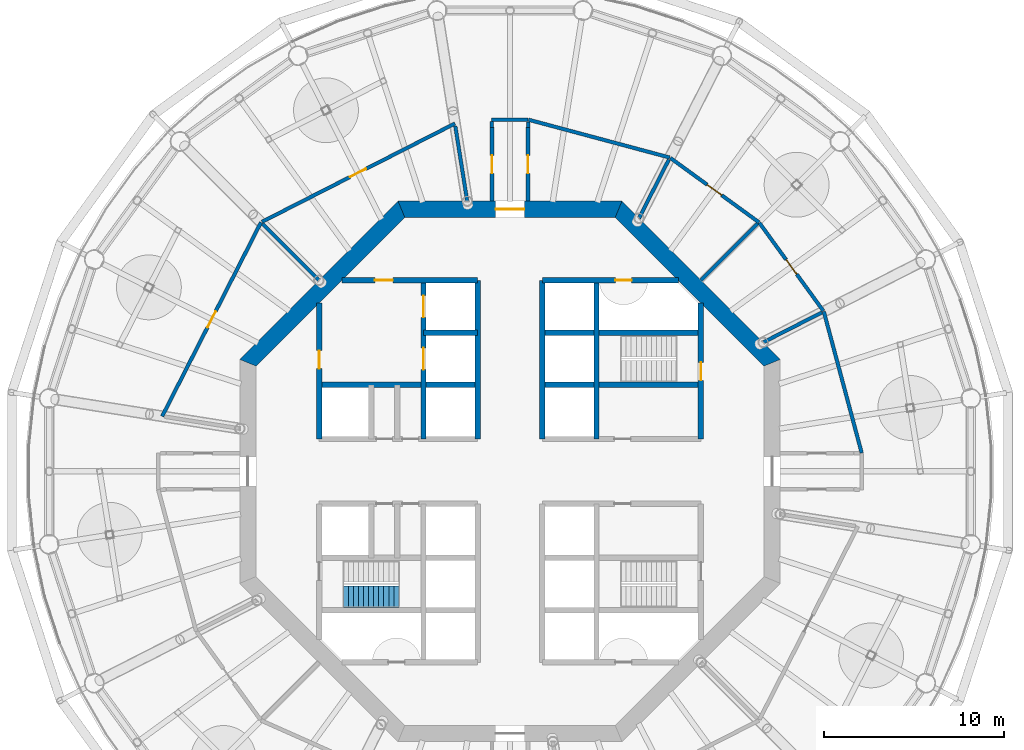
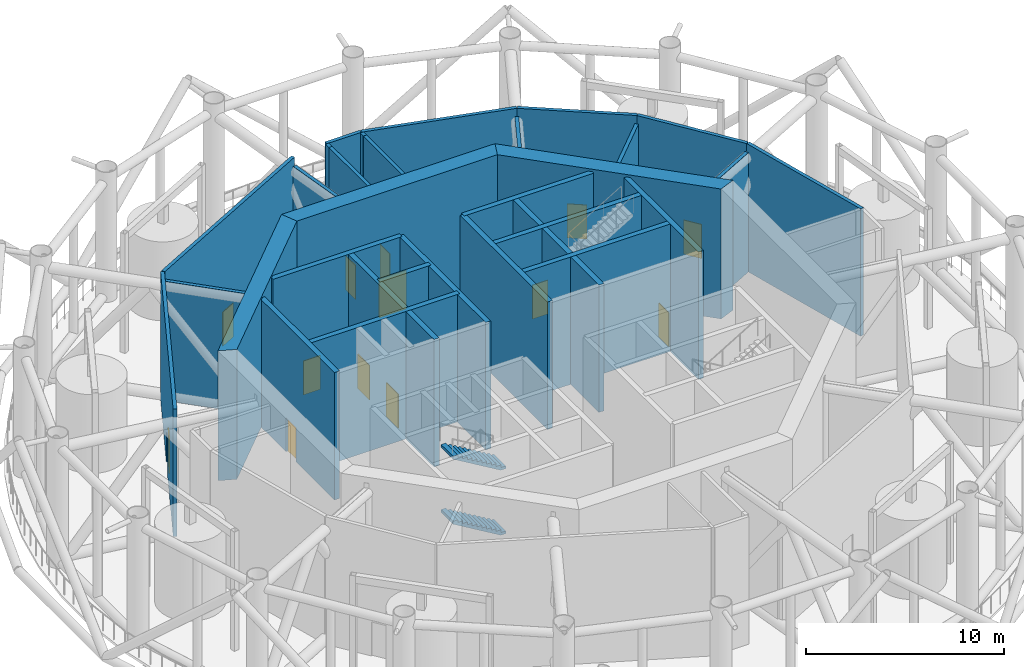
# One storey, part 13 of 22: 31 walls, 13 doors, 2 stair flights, 13 openings, 1 element without a shape of its own.
"""IFC4 building model written with IfcOpenShell, lengths in metres."""

from ifc_helpers import new_model, si_unit, direction, frame, frame_2d, origin, place, context, subcontext, project, spatial, polyline, rectangle, outline, extrude, material, layer, layer_set, type_object, element, fill, aggregate, save


model = new_model("IFC4")

# Units and contexts
model_context = context("Model", 3, precision=1e-05, world=origin(), true_north=direction((0.0, 1.0)))
body_context = subcontext(model_context, "Body", "Model", "MODEL_VIEW")
ifc_project = project(units=[si_unit("LENGTHUNIT", "METRE"), si_unit("AREAUNIT", "SQUARE_METRE"), si_unit("VOLUMEUNIT", "CUBIC_METRE"), si_unit("PLANEANGLEUNIT", "RADIAN"), si_unit("MASSUNIT", "GRAM", prefix="KILO")], contexts=[model_context])

# Site, building, storey
site_placement = place(None, origin())
site = spatial("IfcSite", under=ifc_project, at=site_placement, CompositionType="ELEMENT")
building_placement = place(site_placement, origin())
building = spatial("IfcBuilding", under=site, at=building_placement, Name="Entoto Ring Tower", CompositionType="ELEMENT")
storey_placement = place(building_placement, frame((0.0, 0.0, 230.0)))
storey = spatial("IfcBuildingStorey", under=building, at=storey_placement, Name="L53", CompositionType="ELEMENT", Elevation=230.0)

# Wall, opening, door
ifc_material_1 = material(Name="Concrete C40/50", Category="concrete")
ifc_layer_1 = layer(ifc_material_1, 0.300048828125)
ifc_layer_set_1 = layer_set([ifc_layer_1], Name="Concrete C40/50")
wall_type_1 = type_object("IfcWallType", Name="Core enclosure wall 300 mm reinforced concrete", PredefinedType="SOLIDWALL", material=ifc_layer_set_1)
wall_1_placement = place(storey_placement, frame((100.60009765625, 81.800048828125, 0.0), z_axis=(0.0, 0.0, 1.0), x_axis=(0.0, 1.0, 0.0)))
wall_1 = element("IfcWall", 1, at=wall_1_placement, inside=storey, type_object=wall_type_1, Name="wall-L53-002", PredefinedType="SOLIDWALL", context=body_context, shape_type="SweptSolid", body=[
    extrude(rectangle(XDim=7.540283203125, YDim=0.300048828125, at=frame_2d((3.77001953125, 0.0))), origin(), (0.0, 0.0, 1.0), 7.85009765625),
])
opening_1_placement = place(wall_1_placement, frame((3.25, 0.0, 0.0)))
opening_1 = element("IfcOpeningElement", 2, at=opening_1_placement, cuts=wall_1, Name="Opening K-43", PredefinedType="OPENING", context=body_context, shape_type="SweptSolid", body=[
    extrude(rectangle(XDim=1.0, YDim=2.10009765625, at=frame_2d((0.5, 1.050048828125))), frame((0.0, 0.16015625, 0.0), z_axis=(0.0, -1.0, 0.0), x_axis=(1.0, 0.0, 0.0)), (0.0, 0.0, 1.0), 0.320068359375),
])
ifc_material_2 = material(Name="Steel door leaf, fire rated", Category="steel")
ifc_layer_2 = layer(ifc_material_2, 0.050048828125)
ifc_layer_set_2 = layer_set([ifc_layer_2], Name="Steel door leaf, fire rated")
door_type_1 = type_object("IfcDoorType", Name="Fire door FD60 1000 x 2100 single leaf", OperationType="NOTDEFINED", PredefinedType="DOOR", material=ifc_layer_set_2)
door_1_placement = place(opening_1_placement, origin())
door_1 = element("IfcDoor", 3, at=door_1_placement, inside=storey, type_object=door_type_1, Name="Door K-43", OperationType="SINGLE_SWING_LEFT", OverallHeight=2.10009765625, OverallWidth=1.0, PredefinedType="DOOR", context=body_context, shape_type="SweptSolid", body=[
    extrude(rectangle(XDim=1.0, YDim=2.10009765625, at=frame_2d((0.5, 1.050048828125))), frame((0.0, 0.02490234375, 0.0), z_axis=(0.0, -1.0, 0.0), x_axis=(1.0, 0.0, 0.0)), (0.0, 0.0, 1.0), 0.050048828125),
])
fill(opening_1, door_1)

# Walls
for number, where, z_axis, x_axis, name in (
    (4, (94.800048828125, 81.800048828125, 0.0), (0.0, 0.0, 1.0), (0.0, 1.0, 0.0), "wall-L53-004"),
    (5, (91.800048828125, 81.800048828125, 0.0), (0.0, 0.0, 1.0), (0.0, 1.0, 0.0), "wall-L53-006"),
    (6, (88.199951171875, 81.800048828125, 0.0), (0.0, 0.0, 1.0), (0.0, 1.0, 0.0), "wall-L53-008"),
):
    element("IfcWall", number, at=place(storey_placement, frame(where, z_axis=z_axis, x_axis=x_axis)), inside=storey, type_object=wall_type_1, Name=name, PredefinedType="SOLIDWALL", context=body_context, shape_type="SweptSolid", body=[
        extrude(rectangle(XDim=8.800048828125, YDim=0.300048828125, at=frame_2d((4.39990234375, 0.0))), origin(), (0.0, 0.0, 1.0), 7.85009765625),
    ])

# Wall, openings, doors
wall_2_placement = place(storey_placement, frame((85.199951171875, 81.800048828125, 0.0), z_axis=(0.0, 0.0, 1.0), x_axis=(0.0, 1.0, 0.0)))
wall_2 = element("IfcWall", 7, at=wall_2_placement, inside=storey, type_object=wall_type_1, Name="wall-L53-010", PredefinedType="SOLIDWALL", context=body_context, shape_type="SweptSolid", body=[
    extrude(rectangle(XDim=8.800048828125, YDim=0.300048828125, at=frame_2d((4.39990234375, 0.0))), origin(), (0.0, 0.0, 1.0), 7.85009765625),
])
opening_2_placement = place(wall_2_placement, frame((3.85009765625, 0.0, 0.0)))
opening_2 = element("IfcOpeningElement", 8, at=opening_2_placement, cuts=wall_2, Name="Opening LD", PredefinedType="OPENING", context=body_context, shape_type="SweptSolid", body=[
    extrude(rectangle(XDim=1.199951171875, YDim=2.10009765625, at=frame_2d((0.60009765625, 1.050048828125))), frame((0.0, 0.16015625, 0.0), z_axis=(0.0, -1.0, 0.0), x_axis=(1.0, 0.0, 0.0)), (0.0, 0.0, 1.0), 0.320068359375),
])
opening_3_placement = place(wall_2_placement, frame((6.75, 0.0, 0.0)))
opening_3 = element("IfcOpeningElement", 9, at=opening_3_placement, cuts=wall_2, Name="Opening LD", PredefinedType="OPENING", context=body_context, shape_type="SweptSolid", body=[
    extrude(rectangle(XDim=1.199951171875, YDim=2.10009765625, at=frame_2d((0.60009765625, 1.050048828125))), frame((0.0, 0.16015625, 0.0), z_axis=(0.0, -1.0, 0.0), x_axis=(1.0, 0.0, 0.0)), (0.0, 0.0, 1.0), 0.320068359375),
])
ifc_material_3 = material(Name="Steel and glass door leaf", Category="steel")
ifc_layer_3 = layer(ifc_material_3, 0.050048828125)
ifc_layer_set_3 = layer_set([ifc_layer_3], Name="Steel and glass door leaf")
door_type_2 = type_object("IfcDoorType", Name="Landing door 1200 x 2100 sliding", OperationType="DOUBLE_DOOR_SLIDING", PredefinedType="DOOR", material=ifc_layer_set_3)
door_2_placement = place(opening_2_placement, origin())
door_2 = element("IfcDoor", 10, at=door_2_placement, inside=storey, type_object=door_type_2, Name="Landing door FF1", OperationType="SLIDING_TO_RIGHT", OverallHeight=2.10009765625, OverallWidth=1.199951171875, PredefinedType="DOOR", context=body_context, shape_type="SweptSolid", body=[
    extrude(rectangle(XDim=1.199951171875, YDim=2.10009765625, at=frame_2d((0.60009765625, 1.050048828125))), frame((0.0, 0.02490234375, 0.0), z_axis=(0.0, -1.0, 0.0), x_axis=(1.0, 0.0, 0.0)), (0.0, 0.0, 1.0), 0.050048828125),
])
fill(opening_2, door_2)
door_3_placement = place(opening_3_placement, origin())
door_3 = element("IfcDoor", 11, at=door_3_placement, inside=storey, type_object=door_type_2, Name="Landing door FF2", OperationType="SLIDING_TO_RIGHT", OverallHeight=2.10009765625, OverallWidth=1.199951171875, PredefinedType="DOOR", context=body_context, shape_type="SweptSolid", body=[
    extrude(rectangle(XDim=1.199951171875, YDim=2.10009765625, at=frame_2d((0.60009765625, 1.050048828125))), frame((0.0, 0.02490234375, 0.0), z_axis=(0.0, -1.0, 0.0), x_axis=(1.0, 0.0, 0.0)), (0.0, 0.0, 1.0), 0.050048828125),
])
fill(opening_3, door_3)

# Wall, opening, door
wall_3_placement = place(storey_placement, frame((79.39990234375, 81.800048828125, 0.0), z_axis=(0.0, 0.0, 1.0), x_axis=(0.0, 1.0, 0.0)))
wall_3 = element("IfcWall", 12, at=wall_3_placement, inside=storey, type_object=wall_type_1, Name="wall-L53-016", PredefinedType="SOLIDWALL", context=body_context, shape_type="SweptSolid", body=[
    extrude(rectangle(XDim=7.540283203125, YDim=0.300048828125, at=frame_2d((3.77001953125, 0.0))), origin(), (0.0, 0.0, 1.0), 7.85009765625),
])
opening_4_placement = place(wall_3_placement, frame((3.89990234375, 0.0, 0.0)))
opening_4 = element("IfcOpeningElement", 13, at=opening_4_placement, cuts=wall_3, Name="Opening K-17", PredefinedType="OPENING", context=body_context, shape_type="SweptSolid", body=[
    extrude(rectangle(XDim=1.0, YDim=2.10009765625, at=frame_2d((0.5, 1.050048828125))), frame((0.0, 0.16015625, 0.0), z_axis=(0.0, -1.0, 0.0), x_axis=(1.0, 0.0, 0.0)), (0.0, 0.0, 1.0), 0.320068359375),
])
door_4_placement = place(opening_4_placement, frame((1.0, 0.0, 0.0), z_axis=(0.0, 0.0, 1.0), x_axis=(-1.0, 0.0, 0.0)))
door_4 = element("IfcDoor", 14, at=door_4_placement, inside=storey, type_object=door_type_1, Name="Door K-17", OperationType="SINGLE_SWING_LEFT", OverallHeight=2.10009765625, OverallWidth=1.0, PredefinedType="DOOR", context=body_context, shape_type="SweptSolid", body=[
    extrude(rectangle(XDim=1.0, YDim=2.10009765625, at=frame_2d((0.5, 1.050048828125))), frame((0.0, 0.02490234375, 0.0), z_axis=(0.0, -1.0, 0.0), x_axis=(1.0, 0.0, 0.0)), (0.0, 0.0, 1.0), 0.050048828125),
])
fill(opening_4, door_4)

# Walls
for number, where, z_axis, x_axis, name in (
    (15, (79.39990234375, 84.800048828125, 0.0), (0.0, 0.0, 1.0), (1.0, 0.0, 0.0), "wall-L53-027"),
    (16, (91.800048828125, 84.800048828125, 0.0), (0.0, 0.0, 1.0), (1.0, 0.0, 0.0), "wall-L53-028"),
):
    element("IfcWall", number, at=place(storey_placement, frame(where, z_axis=z_axis, x_axis=x_axis)), inside=storey, type_object=wall_type_1, Name=name, PredefinedType="SOLIDWALL", context=body_context, shape_type="SweptSolid", body=[
        extrude(rectangle(XDim=8.800048828125, YDim=0.300048828125, at=frame_2d((4.39990234375, 0.0))), origin(), (0.0, 0.0, 1.0), 7.85009765625),
    ])
wall_4_placement = place(storey_placement, frame((85.199951171875, 87.699951171875, 0.0), z_axis=(0.0, 0.0, 1.0), x_axis=(1.0, 0.0, 0.0)))
element("IfcWall", 17, at=wall_4_placement, inside=storey, type_object=wall_type_1, Name="wall-L53-029", PredefinedType="SOLIDWALL", context=body_context, shape_type="SweptSolid", body=[
    extrude(rectangle(XDim=3.0, YDim=0.300048828125, at=frame_2d((1.5, 0.0))), origin(), (0.0, 0.0, 1.0), 7.85009765625),
])
wall_5_placement = place(storey_placement, frame((91.800048828125, 87.699951171875, 0.0), z_axis=(0.0, 0.0, 1.0), x_axis=(1.0, 0.0, 0.0)))
element("IfcWall", 18, at=wall_5_placement, inside=storey, type_object=wall_type_1, Name="wall-L53-030", PredefinedType="SOLIDWALL", context=body_context, shape_type="SweptSolid", body=[
    extrude(rectangle(XDim=8.800048828125, YDim=0.300048828125, at=frame_2d((4.39990234375, 0.0))), origin(), (0.0, 0.0, 1.0), 7.85009765625),
])

# Wall, opening, door
wall_6_placement = place(storey_placement, frame((80.65966796875, 90.60009765625, 0.0), z_axis=(0.0, 0.0, 1.0), x_axis=(1.0, 0.0, 0.0)))
wall_6 = element("IfcWall", 19, at=wall_6_placement, inside=storey, type_object=wall_type_1, Name="wall-L53-031", PredefinedType="SOLIDWALL", context=body_context, shape_type="SweptSolid", body=[
    extrude(rectangle(XDim=7.540283203125, YDim=0.300048828125, at=frame_2d((3.77001953125, 0.0))), origin(), (0.0, 0.0, 1.0), 7.85009765625),
])
opening_5_placement = place(wall_6_placement, frame((1.84033203125, 0.0, 0.0)))
opening_5 = element("IfcOpeningElement", 20, at=opening_5_placement, cuts=wall_6, Name="Opening K-59", PredefinedType="OPENING", context=body_context, shape_type="SweptSolid", body=[
    extrude(rectangle(XDim=1.0, YDim=2.10009765625, at=frame_2d((0.5, 1.050048828125))), frame((0.0, 0.16015625, 0.0), z_axis=(0.0, -1.0, 0.0), x_axis=(1.0, 0.0, 0.0)), (0.0, 0.0, 1.0), 0.320068359375),
])
door_5_placement = place(opening_5_placement, frame((1.0, 0.0, 0.0), z_axis=(0.0, 0.0, 1.0), x_axis=(-1.0, 0.0, 0.0)))
door_5 = element("IfcDoor", 21, at=door_5_placement, inside=storey, type_object=door_type_1, Name="Door K-59", OperationType="SINGLE_SWING_RIGHT", OverallHeight=2.10009765625, OverallWidth=1.0, PredefinedType="DOOR", context=body_context, shape_type="SweptSolid", body=[
    extrude(rectangle(XDim=1.0, YDim=2.10009765625, at=frame_2d((0.5, 1.050048828125))), frame((0.0, 0.02490234375, 0.0), z_axis=(0.0, -1.0, 0.0), x_axis=(1.0, 0.0, 0.0)), (0.0, 0.0, 1.0), 0.050048828125),
])
fill(opening_5, door_5)

wall_7_placement = place(storey_placement, frame((91.800048828125, 90.60009765625, 0.0), z_axis=(0.0, 0.0, 1.0), x_axis=(1.0, 0.0, 0.0)))
wall_7 = element("IfcWall", 22, at=wall_7_placement, inside=storey, type_object=wall_type_1, Name="wall-L53-032", PredefinedType="SOLIDWALL", context=body_context, shape_type="SweptSolid", body=[
    extrude(rectangle(XDim=7.540283203125, YDim=0.300048828125, at=frame_2d((3.77001953125, 0.0))), origin(), (0.0, 0.0, 1.0), 7.85009765625),
])
opening_6_placement = place(wall_7_placement, frame((4.050048828125, 0.0, 0.0)))
opening_6 = element("IfcOpeningElement", 23, at=opening_6_placement, cuts=wall_7, Name="Opening K-49", PredefinedType="OPENING", context=body_context, shape_type="SweptSolid", body=[
    extrude(rectangle(XDim=0.89990234375, YDim=2.10009765625, at=frame_2d((0.449951171875, 1.050048828125))), frame((0.0, 0.16015625, 0.0), z_axis=(0.0, -1.0, 0.0), x_axis=(1.0, 0.0, 0.0)), (0.0, 0.0, 1.0), 0.320068359375),
])
ifc_material_4 = material(Name="Steel door leaf, fire rated", Category="steel")
ifc_layer_4 = layer(ifc_material_4, 0.050048828125)
ifc_layer_set_4 = layer_set([ifc_layer_4], Name="Steel door leaf, fire rated")
door_type_3 = type_object("IfcDoorType", Name="Riser door FD60 900 x 2100 single leaf", OperationType="NOTDEFINED", PredefinedType="DOOR", material=ifc_layer_set_4)
door_6_placement = place(opening_6_placement, frame((0.89990234375, 0.0, 0.0), z_axis=(0.0, 0.0, 1.0), x_axis=(-1.0, 0.0, 0.0)))
door_6 = element("IfcDoor", 24, at=door_6_placement, inside=storey, type_object=door_type_3, Name="Door K-49", OperationType="SINGLE_SWING_LEFT", OverallHeight=2.10009765625, OverallWidth=0.89990234375, PredefinedType="DOOR", context=body_context, shape_type="SweptSolid", body=[
    extrude(rectangle(XDim=0.89990234375, YDim=2.10009765625, at=frame_2d((0.449951171875, 1.050048828125))), frame((0.0, 0.02490234375, 0.0), z_axis=(0.0, -1.0, 0.0), x_axis=(1.0, 0.0, 0.0)), (0.0, 0.0, 1.0), 0.050048828125),
])
fill(opening_6, door_6)

# Wall
ifc_material_5 = material(Name="Concrete C50/60", Category="concrete")
ifc_layer_5 = layer(ifc_material_5, 0.89990234375)
ifc_layer_set_5 = layer_set([ifc_layer_5], Name="Concrete C50/60")
wall_type_2 = type_object("IfcWallType", Name="Core shear wall 900 mm reinforced concrete C50/60", PredefinedType="SHEAR", material=ifc_layer_set_5)
wall_8_placement = place(storey_placement, frame((104.550048828125, 86.02685546875, 0.0), z_axis=(0.0, 0.0, 1.0), x_axis=(-0.707106781187, 0.707106781187, 0.0)))
element("IfcWall", 25, at=wall_8_placement, inside=storey, type_object=wall_type_2, Name="wall-L53-core-1", PredefinedType="SHEAR", context=body_context, shape_type="SweptSolid", body=[
    extrude(outline(polyline([(-0.186279296875, -0.449951171875), (12.239990234375, -0.449951171875), (11.867431640625, 0.449951171875), (0.186279296875, 0.449951171875), (-0.186279296875, -0.449951171875)])), origin(), (0.0, 0.0, 1.0), 8.0),
])

# Wall, opening, door
wall_9_placement = place(storey_placement, frame((96.02685546875, 94.550048828125, 0.0), z_axis=(0.0, 0.0, 1.0), x_axis=(-1.0, 0.0, 0.0)))
wall_9 = element("IfcWall", 26, at=wall_9_placement, inside=storey, type_object=wall_type_2, Name="wall-L53-core-2", PredefinedType="SHEAR", context=body_context, shape_type="SweptSolid", body=[
    extrude(outline(polyline([(-0.186279296875, -0.449951171875), (12.239990234375, -0.449951171875), (11.867431640625, 0.449951171875), (0.186279296875, 0.449951171875), (-0.186279296875, -0.449951171875)])), origin(), (0.0, 0.0, 1.0), 8.0),
])
opening_7_placement = place(wall_9_placement, frame((5.226806640625, 0.0, 0.0)))
opening_7 = element("IfcOpeningElement", 27, at=opening_7_placement, cuts=wall_9, Name="Opening K-02", PredefinedType="OPENING", context=body_context, shape_type="SweptSolid", body=[
    extrude(rectangle(XDim=1.60009765625, YDim=2.39990234375, at=frame_2d((0.800048828125, 1.199951171875))), frame((0.0, 0.4599609375, 0.0), z_axis=(0.0, -1.0, 0.0), x_axis=(1.0, 0.0, 0.0)), (0.0, 0.0, 1.0), 0.919921875),
])
ifc_material_6 = material(Name="Steel door leaf, fire rated", Category="steel")
ifc_layer_6 = layer(ifc_material_6, 0.050048828125)
ifc_layer_set_6 = layer_set([ifc_layer_6], Name="Steel door leaf, fire rated")
door_type_4 = type_object("IfcDoorType", Name="Entrance door FD60 1600 x 2400 double leaf", OperationType="DOUBLE_DOOR_SINGLE_SWING", PredefinedType="DOOR", material=ifc_layer_set_6)
door_7_placement = place(opening_7_placement, origin())
door_7 = element("IfcDoor", 28, at=door_7_placement, inside=storey, type_object=door_type_4, Name="Entrance door K-02", OperationType="DOUBLE_DOOR_SINGLE_SWING", OverallHeight=2.39990234375, OverallWidth=1.60009765625, PredefinedType="DOOR", context=body_context, shape_type="SweptSolid", body=[
    extrude(rectangle(XDim=1.60009765625, YDim=2.39990234375, at=frame_2d((0.800048828125, 1.199951171875))), frame((0.0, 0.02490234375, 0.0), z_axis=(0.0, -1.0, 0.0), x_axis=(1.0, 0.0, 0.0)), (0.0, 0.0, 1.0), 0.050048828125),
])
fill(opening_7, door_7)

# Wall
wall_10_placement = place(storey_placement, frame((83.97314453125, 94.550048828125, 0.0), z_axis=(0.0, 0.0, 1.0), x_axis=(-0.707106781187, -0.707106781187, 0.0)))
element("IfcWall", 29, at=wall_10_placement, inside=storey, type_object=wall_type_2, Name="wall-L53-core-3", PredefinedType="SHEAR", context=body_context, shape_type="SweptSolid", body=[
    extrude(outline(polyline([(-0.186279296875, -0.449951171875), (12.239990234375, -0.449951171875), (11.867431640625, 0.449951171875), (0.186279296875, 0.449951171875), (-0.186279296875, -0.449951171875)])), origin(), (0.0, 0.0, 1.0), 8.0),
])

# Wall, opening, door
ifc_material_7 = material(Name="Concrete C20/25", Category="concrete")
ifc_layer_7 = layer(ifc_material_7, 0.199951171875)
ifc_layer_set_7 = layer_set([ifc_layer_7], Name="Concrete C20/25")
wall_type_3 = type_object("IfcWallType", Name="Plant room wall 200 mm two-hour concrete", PredefinedType="PARTITIONING", material=ifc_layer_set_7)
wall_11_placement = place(storey_placement, frame((70.690673828125, 83.058349609375, 0.0), z_axis=(0.0, 0.0, 1.0), x_axis=(0.453989950787, 0.891006803894, 0.0)))
wall_11 = element("IfcWall", 30, at=wall_11_placement, inside=storey, type_object=wall_type_3, Name="partition-L53-004", PredefinedType="PARTITIONING", context=body_context, shape_type="SweptSolid", body=[
    extrude(rectangle(XDim=12.08251953125, YDim=0.199951171875, at=frame_2d((6.041259765625, 0.0))), origin(), (0.0, 0.0, 1.0), 7.85009765625),
])
opening_8_placement = place(wall_11_placement, frame((5.541259765625, 0.0, 0.0)))
opening_8 = element("IfcOpeningElement", 31, at=opening_8_placement, cuts=wall_11, Name="Opening A23-D06", PredefinedType="OPENING", context=body_context, shape_type="SweptSolid", body=[
    extrude(rectangle(XDim=1.0, YDim=2.10009765625, at=frame_2d((0.5, 1.050048828125))), frame((0.0, 0.10986328125, 0.0), z_axis=(0.0, -1.0, 0.0), x_axis=(1.0, 0.0, 0.0)), (0.0, 0.0, 1.0), 0.219970703125),
])
ifc_material_8 = material(Name="Fire-resisting steel door set", Category="steel")
door_type_5 = type_object("IfcDoorType", Name="Door 1000 x 2100 single leaf FD60 steel door", OperationType="NOTDEFINED", PredefinedType="DOOR", material=ifc_material_8)
door_8_placement = place(opening_8_placement, frame((1.0, 0.0, 0.0), z_axis=(0.0, 0.0, 1.0), x_axis=(-1.0, 0.0, 0.0)))
door_8 = element("IfcDoor", 32, at=door_8_placement, inside=storey, type_object=door_type_5, Name="Door A23-D06", OperationType="SINGLE_SWING_RIGHT", OverallHeight=2.10009765625, OverallWidth=1.0, PredefinedType="DOOR", context=body_context, shape_type="SweptSolid", body=[
    extrude(rectangle(XDim=1.0, YDim=2.10009765625, at=frame_2d((0.5, 1.050048828125))), frame((0.0, 0.02490234375, 0.0), z_axis=(0.0, -1.0, 0.0), x_axis=(1.0, 0.0, 0.0)), (0.0, 0.0, 1.0), 0.050048828125),
])
fill(opening_8, door_8)

wall_12_placement = place(storey_placement, frame((76.228271484375, 93.8505859375, 0.0), z_axis=(0.0, 0.0, 1.0), x_axis=(0.891006489484, 0.45399056785, 0.0)))
wall_12 = element("IfcWall", 33, at=wall_12_placement, inside=storey, type_object=wall_type_3, Name="partition-L53-005", PredefinedType="PARTITIONING", context=body_context, shape_type="SweptSolid", body=[
    extrude(rectangle(XDim=12.02392578125, YDim=0.199951171875, at=frame_2d((6.011962890625, 0.0))), origin(), (0.0, 0.0, 1.0), 7.85009765625),
])
opening_9_placement = place(wall_12_placement, frame((5.482666015625, 0.0, 0.0)))
opening_9 = element("IfcOpeningElement", 34, at=opening_9_placement, cuts=wall_12, Name="Opening A23-D05", PredefinedType="OPENING", context=body_context, shape_type="SweptSolid", body=[
    extrude(rectangle(XDim=1.0, YDim=2.10009765625, at=frame_2d((0.5, 1.050048828125))), frame((0.0, 0.10986328125, 0.0), z_axis=(0.0, -1.0, 0.0), x_axis=(1.0, 0.0, 0.0)), (0.0, 0.0, 1.0), 0.219970703125),
])
door_9_placement = place(opening_9_placement, frame((1.0, 0.0, 0.0), z_axis=(0.0, 0.0, 1.0), x_axis=(-1.0, 0.0, 0.0)))
door_9 = element("IfcDoor", 35, at=door_9_placement, inside=storey, type_object=door_type_5, Name="Door A23-D05", OperationType="SINGLE_SWING_RIGHT", OverallHeight=2.10009765625, OverallWidth=1.0, PredefinedType="DOOR", context=body_context, shape_type="SweptSolid", body=[
    extrude(rectangle(XDim=1.0, YDim=2.10009765625, at=frame_2d((0.5, 1.050048828125))), frame((0.0, 0.02490234375, 0.0), z_axis=(0.0, -1.0, 0.0), x_axis=(1.0, 0.0, 0.0)), (0.0, 0.0, 1.0), 0.050048828125),
])
fill(opening_9, door_9)

# Walls
for number, where, z_axis, x_axis, name in (
    (36, (98.87548828125, 97.419189453125, 0.0), (0.0, 0.0, 1.0), (-0.965926200761, 0.25881764755, 0.0), "partition-L53-009"),
    (37, (109.523193359375, 81.023193359375, 0.0), (0.0, 0.0, 1.0), (-0.25881764755, 0.965926200761, 0.0), "partition-L53-010"),
):
    element("IfcWall", number, at=place(storey_placement, frame(where, z_axis=z_axis, x_axis=x_axis)), inside=storey, type_object=wall_type_3, Name=name, PredefinedType="PARTITIONING", context=body_context, shape_type="SweptSolid", body=[
        extrude(rectangle(XDim=8.12939453125, YDim=0.199951171875, at=frame_2d((4.064697265625, 0.0))), origin(), (0.0, 0.0, 1.0), 7.85009765625),
    ])

# Wall, opening, door
wall_13_placement = place(storey_placement, frame((103.823974609375, 93.823974609375, 0.0), z_axis=(0.0, 0.0, 1.0), x_axis=(-0.809027656573, 0.587770576757, 0.0)))
wall_13 = element("IfcWall", 38, at=wall_13_placement, inside=storey, type_object=wall_type_3, Name="partition-L53-012", PredefinedType="PARTITIONING", context=body_context, shape_type="SweptSolid", body=[
    extrude(rectangle(XDim=6.0810546875, YDim=0.199951171875, at=frame_2d((3.04052734375, 0.0))), origin(), (0.0, 0.0, 1.0), 7.85009765625),
])
opening_10_placement = place(wall_13_placement, frame((2.558349609375, 0.0, 0.0)))
opening_10 = element("IfcOpeningElement", 39, at=opening_10_placement, cuts=wall_13, Name="Opening A23-D03", PredefinedType="OPENING", context=body_context, shape_type="SweptSolid", body=[
    extrude(rectangle(XDim=1.0, YDim=2.10009765625, at=frame_2d((0.5, 1.050048828125))), frame((0.0, 0.10986328125, 0.0), z_axis=(0.0, -1.0, 0.0), x_axis=(1.0, 0.0, 0.0)), (0.0, 0.0, 1.0), 0.219970703125),
])
door_10_placement = place(opening_10_placement, origin())
door_10 = element("IfcDoor", 40, at=door_10_placement, inside=storey, type_object=door_type_5, Name="Door A23-D03", OperationType="SINGLE_SWING_RIGHT", OverallHeight=2.10009765625, OverallWidth=1.0, PredefinedType="DOOR", context=body_context, shape_type="SweptSolid", body=[
    extrude(rectangle(XDim=1.0, YDim=2.10009765625, at=frame_2d((0.5, 1.050048828125))), frame((0.0, 0.02490234375, 0.0), z_axis=(0.0, -1.0, 0.0), x_axis=(1.0, 0.0, 0.0)), (0.0, 0.0, 1.0), 0.050048828125),
])
fill(opening_10, door_10)

wall_14_placement = place(storey_placement, frame((107.398193359375, 88.904296875, 0.0), z_axis=(0.0, 0.0, 1.0), x_axis=(-0.587773337065, 0.809025651161, 0.0)))
wall_14 = element("IfcWall", 41, at=wall_14_placement, inside=storey, type_object=wall_type_3, Name="partition-L53-013", PredefinedType="PARTITIONING", context=body_context, shape_type="SweptSolid", body=[
    extrude(rectangle(XDim=6.05029296875, YDim=0.199951171875, at=frame_2d((3.025146484375, 0.0))), origin(), (0.0, 0.0, 1.0), 7.85009765625),
])
opening_11_placement = place(wall_14_placement, frame((2.522705078125, 0.0, 0.0)))
opening_11 = element("IfcOpeningElement", 42, at=opening_11_placement, cuts=wall_14, Name="Opening A23-D02", PredefinedType="OPENING", context=body_context, shape_type="SweptSolid", body=[
    extrude(rectangle(XDim=1.0, YDim=2.10009765625, at=frame_2d((0.5, 1.050048828125))), frame((0.0, 0.10986328125, 0.0), z_axis=(0.0, -1.0, 0.0), x_axis=(1.0, 0.0, 0.0)), (0.0, 0.0, 1.0), 0.219970703125),
])
door_11_placement = place(opening_11_placement, origin())
door_11 = element("IfcDoor", 43, at=door_11_placement, inside=storey, type_object=door_type_5, Name="Door A23-D02", OperationType="SINGLE_SWING_RIGHT", OverallHeight=2.10009765625, OverallWidth=1.0, PredefinedType="DOOR", context=body_context, shape_type="SweptSolid", body=[
    extrude(rectangle(XDim=1.0, YDim=2.10009765625, at=frame_2d((0.5, 1.050048828125))), frame((0.0, 0.02490234375, 0.0), z_axis=(0.0, -1.0, 0.0), x_axis=(1.0, 0.0, 0.0)), (0.0, 0.0, 1.0), 0.050048828125),
])
fill(opening_11, door_11)

wall_15_placement = place(storey_placement, frame((89.0, 95.0, 0.0), z_axis=(0.0, 0.0, 1.0), x_axis=(0.0, 1.0, 0.0)))
wall_15 = element("IfcWall", 44, at=wall_15_placement, inside=storey, type_object=wall_type_3, Name="partition-L53-024", PredefinedType="PARTITIONING", context=body_context, shape_type="SweptSolid", body=[
    extrude(rectangle(XDim=4.0810546875, YDim=0.199951171875, at=frame_2d((2.04052734375, 0.0))), origin(), (0.0, 0.0, 1.0), 7.85009765625),
])
opening_12_placement = place(wall_15_placement, frame((1.54052734375, 0.0, 0.0)))
opening_12 = element("IfcOpeningElement", 45, at=opening_12_placement, cuts=wall_15, Name="Opening A23-D13", PredefinedType="OPENING", context=body_context, shape_type="SweptSolid", body=[
    extrude(rectangle(XDim=1.0, YDim=2.10009765625, at=frame_2d((0.5, 1.050048828125))), frame((0.0, 0.10986328125, 0.0), z_axis=(0.0, -1.0, 0.0), x_axis=(1.0, 0.0, 0.0)), (0.0, 0.0, 1.0), 0.219970703125),
])
door_12_placement = place(opening_12_placement, frame((1.0, 0.0, 0.0), z_axis=(0.0, 0.0, 1.0), x_axis=(-1.0, 0.0, 0.0)))
door_12 = element("IfcDoor", 46, at=door_12_placement, inside=storey, type_object=door_type_5, Name="Door A23-D13", OperationType="SINGLE_SWING_LEFT", OverallHeight=2.10009765625, OverallWidth=1.0, PredefinedType="DOOR", context=body_context, shape_type="SweptSolid", body=[
    extrude(rectangle(XDim=1.0, YDim=2.10009765625, at=frame_2d((0.5, 1.050048828125))), frame((0.0, 0.02490234375, 0.0), z_axis=(0.0, -1.0, 0.0), x_axis=(1.0, 0.0, 0.0)), (0.0, 0.0, 1.0), 0.050048828125),
])
fill(opening_12, door_12)

wall_16_placement = place(storey_placement, frame((91.0, 95.0, 0.0), z_axis=(0.0, 0.0, 1.0), x_axis=(0.0, 1.0, 0.0)))
wall_16 = element("IfcWall", 47, at=wall_16_placement, inside=storey, type_object=wall_type_3, Name="partition-L53-026", PredefinedType="PARTITIONING", context=body_context, shape_type="SweptSolid", body=[
    extrude(rectangle(XDim=4.0810546875, YDim=0.199951171875, at=frame_2d((2.04052734375, 0.0))), origin(), (0.0, 0.0, 1.0), 7.85009765625),
])
opening_13_placement = place(wall_16_placement, frame((1.54052734375, 0.0, 0.0)))
opening_13 = element("IfcOpeningElement", 48, at=opening_13_placement, cuts=wall_16, Name="Opening A23-D04", PredefinedType="OPENING", context=body_context, shape_type="SweptSolid", body=[
    extrude(rectangle(XDim=1.0, YDim=2.10009765625, at=frame_2d((0.5, 1.050048828125))), frame((0.0, 0.10986328125, 0.0), z_axis=(0.0, -1.0, 0.0), x_axis=(1.0, 0.0, 0.0)), (0.0, 0.0, 1.0), 0.219970703125),
])
door_13_placement = place(opening_13_placement, origin())
door_13 = element("IfcDoor", 49, at=door_13_placement, inside=storey, type_object=door_type_5, Name="Door A23-D04", OperationType="SINGLE_SWING_RIGHT", OverallHeight=2.10009765625, OverallWidth=1.0, PredefinedType="DOOR", context=body_context, shape_type="SweptSolid", body=[
    extrude(rectangle(XDim=1.0, YDim=2.10009765625, at=frame_2d((0.5, 1.050048828125))), frame((0.0, 0.02490234375, 0.0), z_axis=(0.0, -1.0, 0.0), x_axis=(1.0, 0.0, 0.0)), (0.0, 0.0, 1.0), 0.050048828125),
])
fill(opening_13, door_13)

# Walls
wall_17_placement = place(storey_placement, frame((88.976806640625, 99.523193359375, 0.0), z_axis=(0.0, 0.0, 1.0), x_axis=(1.0, 0.0, 0.0)))
element("IfcWall", 50, at=wall_17_placement, inside=storey, type_object=wall_type_3, Name="partition-L53-034", PredefinedType="PARTITIONING", context=body_context, shape_type="SweptSolid", body=[
    extrude(rectangle(XDim=2.0205078125, YDim=0.199951171875, at=frame_2d((1.01025390625, 0.0))), origin(), (0.0, 0.0, 1.0), 7.85009765625),
])
wall_18_placement = place(storey_placement, frame((88.999755859375, 99.08642578125, 0.0), z_axis=(0.0, 0.0, 1.0), x_axis=(-0.052211457782, 0.998636051661, 0.0)))
element("IfcWall", 51, at=wall_18_placement, inside=storey, type_object=wall_type_3, Name="partition-L53-038", PredefinedType="PARTITIONING", context=body_context, shape_type="SweptSolid", body=[
    extrude(rectangle(XDim=0.33203125, YDim=0.199951171875, at=frame_2d((0.166015625, 0.0))), origin(), (0.0, 0.0, 1.0), 7.85009765625),
])
wall_19_placement = place(storey_placement, frame((91.000244140625, 99.08642578125, 0.0), z_axis=(0.0, 0.0, 1.0), x_axis=(0.052109790691, 0.998641361908, 0.0)))
element("IfcWall", 52, at=wall_19_placement, inside=storey, type_object=wall_type_3, Name="partition-L53-039", PredefinedType="PARTITIONING", context=body_context, shape_type="SweptSolid", body=[
    extrude(rectangle(XDim=0.31396484375, YDim=0.199951171875, at=frame_2d((0.156982421875, 0.0))), origin(), (0.0, 0.0, 1.0), 7.85009765625),
])
ifc_material_9 = material(Name="Concrete C20/25", Category="concrete")
ifc_layer_8 = layer(ifc_material_9, 0.199951171875)
ifc_layer_set_8 = layer_set([ifc_layer_8], Name="Concrete C20/25")
wall_type_4 = type_object("IfcWallType", Name="Plant room wall 200 mm two-hour concrete, 7350 mm high", PredefinedType="PARTITIONING", material=ifc_layer_set_8)
wall_20_placement = place(storey_placement, frame((79.393310546875, 90.606689453125, 0.0), z_axis=(0.0, 0.0, 1.0), x_axis=(-0.707106781187, 0.707106781187, 0.0)))
element("IfcWall", 53, at=wall_20_placement, inside=storey, type_object=wall_type_4, Name="partition-L53-015", PredefinedType="PARTITIONING", context=body_context, shape_type="SweptSolid", body=[
    extrude(rectangle(XDim=4.41259765625, YDim=0.199951171875, at=frame_2d((2.206298828125, 0.0))), origin(), (0.0, 0.0, 1.0), 7.35009765625),
])
wall_21_placement = place(storey_placement, frame((100.606689453125, 90.606689453125, 0.0), z_axis=(0.0, 0.0, 1.0), x_axis=(0.707106781187, 0.707106781187, 0.0)))
element("IfcWall", 54, at=wall_21_placement, inside=storey, type_object=wall_type_4, Name="partition-L53-016", PredefinedType="PARTITIONING", context=body_context, shape_type="SweptSolid", body=[
    extrude(rectangle(XDim=4.432861328125, YDim=0.199951171875, at=frame_2d((2.21630859375, 0.0))), origin(), (0.0, 0.0, 1.0), 7.35009765625),
])
wall_22_placement = place(storey_placement, frame((87.624267578125, 95.0, 0.0), z_axis=(0.0, 0.0, 1.0), x_axis=(-0.156458024041, 0.987684608928, 0.0)))
element("IfcWall", 55, at=wall_22_placement, inside=storey, type_object=wall_type_4, Name="partition-L53-019", PredefinedType="PARTITIONING", context=body_context, shape_type="SweptSolid", body=[
    extrude(rectangle(XDim=4.2255859375, YDim=0.199951171875, at=frame_2d((2.11279296875, 0.0))), origin(), (0.0, 0.0, 1.0), 7.35009765625),
])
for number, where, z_axis, x_axis, name in (
    (56, (97.160400390625, 94.052978515625, 0.0), (0.0, 0.0, 1.0), (0.454014847773, 0.890994117827, 0.0), "partition-L53-030"),
    (57, (104.052978515625, 87.160400390625, 0.0), (0.0, 0.0, 1.0), (0.890994117827, 0.454014847773, 0.0), "partition-L53-031"),
):
    element("IfcWall", number, at=place(storey_placement, frame(where, z_axis=z_axis, x_axis=x_axis)), inside=storey, type_object=wall_type_4, Name=name, PredefinedType="PARTITIONING", context=body_context, shape_type="SweptSolid", body=[
        extrude(rectangle(XDim=3.654541015625, YDim=0.199951171875, at=frame_2d((1.8271484375, 0.0))), origin(), (0.0, 0.0, 1.0), 7.35009765625),
    ])

# Stair, stair flights
ifc_material_10 = material(Name="Concrete C40/50", Category="concrete")
stair_type = type_object("IfcStairType", Name="Exit stair 1200 mm dog-leg reinforced concrete", PredefinedType="HALF_TURN_STAIR", material=ifc_material_10)
stair_placement = place(storey_placement, origin())
stair = element("IfcStair", 58, at=stair_placement, inside=storey, type_object=stair_type, Name="Exit stair 2", PredefinedType="HALF_TURN_STAIR")
ifc_material_11 = material(Name="Concrete C40/50", Category="concrete")
stair_flight_type = type_object("IfcStairFlightType", Name="Stair flight 1200 mm reinforced concrete", PredefinedType="STRAIGHT", material=ifc_material_11)
stair_flight_1_placement = place(storey_placement, frame((83.830078125, 73.050048828125, 2.0), z_axis=(0.0, 0.0, 1.0), x_axis=(-1.0, 0.0, 0.0)))
stair_flight_1 = element("IfcStairFlight", 59, at=stair_flight_1_placement, type_object=stair_flight_type, Name="ST2 flight 2", NumberOfRisers=12, NumberOfTreads=11, PredefinedType="STRAIGHT", RiserHeight=0.166666667, TreadLength=0.28, context=body_context, shape_type="SweptSolid", body=[
    extrude(outline(polyline([(0.0, 0.0), (0.0, 0.166748046875), (0.280029296875, 0.166748046875), (0.280029296875, 0.333251953125), (0.56005859375, 0.333251953125), (0.56005859375, 0.5), (0.840087890625, 0.5), (0.840087890625, 0.666748046875), (1.1201171875, 0.666748046875), (1.1201171875, 0.833251953125), (1.39990234375, 0.833251953125), (1.39990234375, 1.0), (1.679931640625, 1.0), (1.679931640625, 1.166748046875), (1.9599609375, 1.166748046875), (1.9599609375, 1.333251953125), (2.239990234375, 1.333251953125), (2.239990234375, 1.5), (2.52001953125, 1.5), (2.52001953125, 1.666748046875), (2.800048828125, 1.666748046875), (2.800048828125, 1.833251953125), (3.080078125, 1.833251953125), (3.080078125, 2.0), (3.080078125, 1.658935546875), (0.29296875, 0.0), (0.0, 0.0)])), frame((0.0, 0.60009765625, 0.0), z_axis=(0.0, -1.0, 0.0), x_axis=(1.0, 0.0, 0.0)), (0.0, 0.0, 1.0), 1.199951171875),
])
stair_flight_2_placement = place(storey_placement, frame((83.830078125, 73.050048828125, 6.0), z_axis=(0.0, 0.0, 1.0), x_axis=(-1.0, 0.0, 0.0)))
stair_flight_2 = element("IfcStairFlight", 60, at=stair_flight_2_placement, type_object=stair_flight_type, Name="ST2 flight 4", NumberOfRisers=12, NumberOfTreads=11, PredefinedType="STRAIGHT", RiserHeight=0.166666667, TreadLength=0.28, context=body_context, shape_type="SweptSolid", body=[
    extrude(outline(polyline([(0.0, 0.0), (0.0, 0.166748046875), (0.280029296875, 0.166748046875), (0.280029296875, 0.333251953125), (0.56005859375, 0.333251953125), (0.56005859375, 0.5), (0.840087890625, 0.5), (0.840087890625, 0.666748046875), (1.1201171875, 0.666748046875), (1.1201171875, 0.833251953125), (1.39990234375, 0.833251953125), (1.39990234375, 1.0), (1.679931640625, 1.0), (1.679931640625, 1.166748046875), (1.9599609375, 1.166748046875), (1.9599609375, 1.333251953125), (2.239990234375, 1.333251953125), (2.239990234375, 1.5), (2.52001953125, 1.5), (2.52001953125, 1.666748046875), (2.800048828125, 1.666748046875), (2.800048828125, 1.833251953125), (3.080078125, 1.833251953125), (3.080078125, 2.0), (3.080078125, 1.658935546875), (0.29296875, 0.0), (0.0, 0.0)])), frame((0.0, 0.60009765625, 0.0), z_axis=(0.0, -1.0, 0.0), x_axis=(1.0, 0.0, 0.0)), (0.0, 0.0, 1.0), 1.199951171875),
])
aggregate(stair, [stair_flight_1, stair_flight_2])

save(model, "model.ifc")
